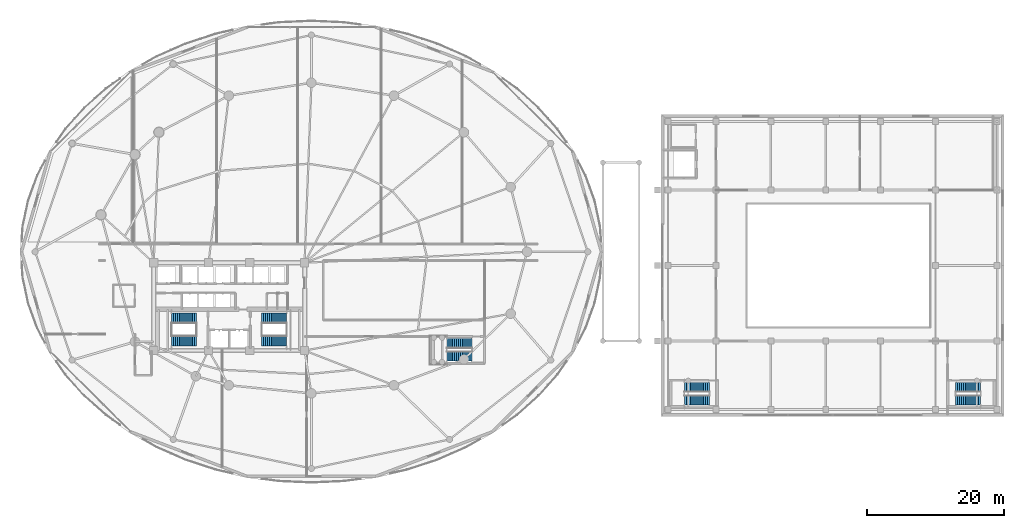
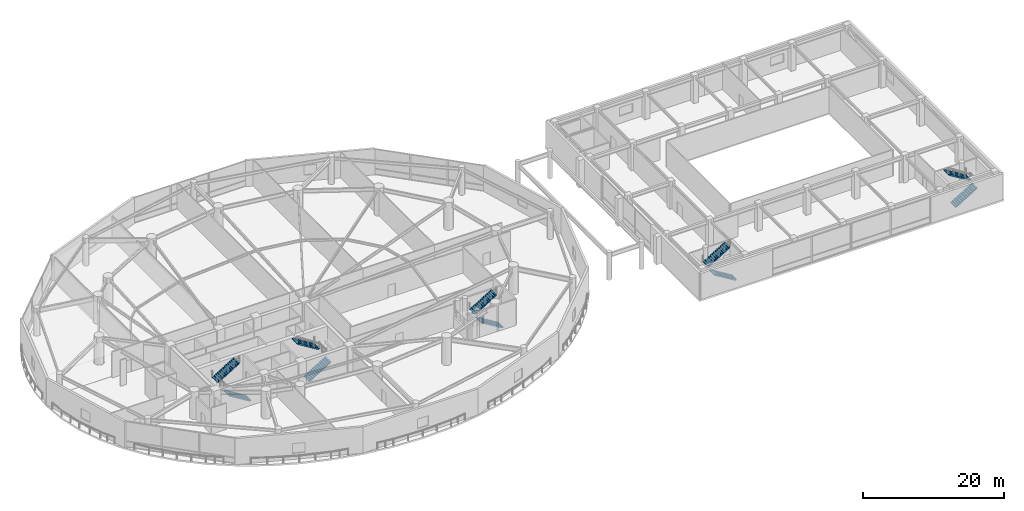
# One storey, part 32 of 40: 10 stair flights, 5 elements without a shape of their own.
"""IFC4 building model written with IfcOpenShell, lengths in metres."""

from ifc_helpers import new_model, si_unit, direction, frame, origin, place, context, subcontext, project, spatial, polyline, outline, extrude, material, layer, layer_set, type_object, element, aggregate, save


model = new_model("IFC4")

# Units and contexts
model_context = context("Model", 3, precision=1e-05, world=origin(), true_north=direction((0.0, 1.0)))
body_context = subcontext(model_context, "Body", "Model", "MODEL_VIEW")
ifc_project = project(units=[si_unit("LENGTHUNIT", "METRE"), si_unit("AREAUNIT", "SQUARE_METRE"), si_unit("VOLUMEUNIT", "CUBIC_METRE"), si_unit("PLANEANGLEUNIT", "RADIAN"), si_unit("MASSUNIT", "GRAM", prefix="KILO")], contexts=[model_context])

# Site, building, storey
site_placement = place(None, origin())
site = spatial("IfcSite", under=ifc_project, at=site_placement, CompositionType="ELEMENT")
building_placement = place(site_placement, origin())
building = spatial("IfcBuilding", under=site, at=building_placement, Name="Kazevale Care Tower and Concert Hall", CompositionType="ELEMENT")
storey_placement = place(building_placement, frame((0.0, 0.0, 4.800048828125)))
storey = spatial("IfcBuildingStorey", under=building, at=storey_placement, Name="L01", CompositionType="ELEMENT", Elevation=4.800048828125)

# Stair, stair flights
ifc_material = material(Name="Concrete C40", Category="concrete")
stair_type_1 = type_object("IfcStairType", Name="Exit Stair Assembly ST1-P", PredefinedType="HALF_TURN_STAIR", material=ifc_material)
stair_1_placement = place(storey_placement, origin())
stair_1 = element("IfcStair", 1, at=stair_1_placement, inside=storey, type_object=stair_type_1, Name="stair:L01:ST1", PredefinedType="HALF_TURN_STAIR")
ifc_layer_1 = layer(ifc_material, 0.159912109375)
ifc_layer_set_1 = layer_set([ifc_layer_1], Name="Concrete C40")
stair_flight_type_1 = type_object("IfcStairFlightType", Name="Exit Stair Flight ST1-P", PredefinedType="STRAIGHT", material=ifc_layer_set_1)
stair_flight_1_placement = place(storey_placement, frame((28.25, 25.0, 0.0), z_axis=(0.0, 0.0, 1.0), x_axis=(-1.0, 0.0, 0.0)))
stair_flight_1 = element("IfcStairFlight", 2, at=stair_flight_1_placement, type_object=stair_flight_type_1, Name="ST1-P flight 1", NumberOfRisers=14, NumberOfTreads=13, PredefinedType="STRAIGHT", RiserHeight=0.171429, TreadLength=0.28, context=body_context, shape_type="SweptSolid", body=[
    extrude(outline(polyline([(0.0, 0.0), (0.0, 0.17138671875), (0.280029296875, 0.17138671875), (0.280029296875, 0.3427734375), (0.56005859375, 0.3427734375), (0.56005859375, 0.514404296875), (0.840087890625, 0.514404296875), (0.840087890625, 0.685791015625), (1.1201171875, 0.685791015625), (1.1201171875, 0.857177734375), (1.39990234375, 0.857177734375), (1.39990234375, 1.028564453125), (1.679931640625, 1.028564453125), (1.679931640625, 1.199951171875), (1.9599609375, 1.199951171875), (1.9599609375, 1.371337890625), (2.239990234375, 1.371337890625), (2.239990234375, 1.54296875), (2.52001953125, 1.54296875), (2.52001953125, 1.71435546875), (2.800048828125, 1.71435546875), (2.800048828125, 1.8857421875), (3.080078125, 1.8857421875), (3.080078125, 2.05712890625), (3.360107421875, 2.05712890625), (3.360107421875, 2.228515625), (3.639892578125, 2.228515625), (3.639892578125, 2.39990234375), (3.639892578125, 2.041015625), (0.30615234375, 0.0), (0.0, 0.0)])), frame((0.0, 0.75, 0.0), z_axis=(0.0, -1.0, 0.0), x_axis=(1.0, 0.0, 0.0)), (0.0, 0.0, 1.0), 1.5),
])
stair_flight_2_placement = place(storey_placement, frame((24.610107421875, 28.300048828125, 2.39990234375), z_axis=(0.0, 0.0, 1.0), x_axis=(1.0, 0.0, 0.0)))
stair_flight_2 = element("IfcStairFlight", 3, at=stair_flight_2_placement, type_object=stair_flight_type_1, Name="ST1-P flight 2", NumberOfRisers=14, NumberOfTreads=13, PredefinedType="STRAIGHT", RiserHeight=0.171429, TreadLength=0.28, context=body_context, shape_type="SweptSolid", body=[
    extrude(outline(polyline([(0.0, 0.0), (0.0, 0.17138671875), (0.280029296875, 0.17138671875), (0.280029296875, 0.3427734375), (0.56005859375, 0.3427734375), (0.56005859375, 0.514404296875), (0.840087890625, 0.514404296875), (0.840087890625, 0.685791015625), (1.1201171875, 0.685791015625), (1.1201171875, 0.857177734375), (1.39990234375, 0.857177734375), (1.39990234375, 1.028564453125), (1.679931640625, 1.028564453125), (1.679931640625, 1.199951171875), (1.9599609375, 1.199951171875), (1.9599609375, 1.371337890625), (2.239990234375, 1.371337890625), (2.239990234375, 1.54296875), (2.52001953125, 1.54296875), (2.52001953125, 1.71435546875), (2.800048828125, 1.71435546875), (2.800048828125, 1.8857421875), (3.080078125, 1.8857421875), (3.080078125, 2.05712890625), (3.360107421875, 2.05712890625), (3.360107421875, 2.228515625), (3.639892578125, 2.228515625), (3.639892578125, 2.39990234375), (3.639892578125, 2.041015625), (0.30615234375, 0.0), (0.0, 0.0)])), frame((0.0, 0.75, 0.0), z_axis=(0.0, -1.0, 0.0), x_axis=(1.0, 0.0, 0.0)), (0.0, 0.0, 1.0), 1.5),
])
aggregate(stair_1, [stair_flight_1, stair_flight_2])

stair_2_placement = place(storey_placement, origin())
stair_2 = element("IfcStair", 4, at=stair_2_placement, inside=storey, type_object=stair_type_1, Name="stair:L01:ST2", PredefinedType="HALF_TURN_STAIR")
stair_flight_3_placement = place(storey_placement, frame((37.75, 25.0, 0.0), z_axis=(0.0, 0.0, 1.0), x_axis=(1.0, 0.0, 0.0)))
stair_flight_3 = element("IfcStairFlight", 5, at=stair_flight_3_placement, type_object=stair_flight_type_1, Name="ST1-P flight 1", NumberOfRisers=14, NumberOfTreads=13, PredefinedType="STRAIGHT", RiserHeight=0.171429, TreadLength=0.28, context=body_context, shape_type="SweptSolid", body=[
    extrude(outline(polyline([(0.0, 0.0), (0.0, 0.17138671875), (0.280029296875, 0.17138671875), (0.280029296875, 0.3427734375), (0.56005859375, 0.3427734375), (0.56005859375, 0.514404296875), (0.840087890625, 0.514404296875), (0.840087890625, 0.685791015625), (1.1201171875, 0.685791015625), (1.1201171875, 0.857177734375), (1.39990234375, 0.857177734375), (1.39990234375, 1.028564453125), (1.679931640625, 1.028564453125), (1.679931640625, 1.199951171875), (1.9599609375, 1.199951171875), (1.9599609375, 1.371337890625), (2.239990234375, 1.371337890625), (2.239990234375, 1.54296875), (2.52001953125, 1.54296875), (2.52001953125, 1.71435546875), (2.800048828125, 1.71435546875), (2.800048828125, 1.8857421875), (3.080078125, 1.8857421875), (3.080078125, 2.05712890625), (3.360107421875, 2.05712890625), (3.360107421875, 2.228515625), (3.639892578125, 2.228515625), (3.639892578125, 2.39990234375), (3.639892578125, 2.041015625), (0.30615234375, 0.0), (0.0, 0.0)])), frame((0.0, 0.75, 0.0), z_axis=(0.0, -1.0, 0.0), x_axis=(1.0, 0.0, 0.0)), (0.0, 0.0, 1.0), 1.5),
])
stair_flight_4_placement = place(storey_placement, frame((41.389892578125, 28.300048828125, 2.39990234375), z_axis=(0.0, 0.0, 1.0), x_axis=(-1.0, 0.0, 0.0)))
stair_flight_4 = element("IfcStairFlight", 6, at=stair_flight_4_placement, type_object=stair_flight_type_1, Name="ST1-P flight 2", NumberOfRisers=14, NumberOfTreads=13, PredefinedType="STRAIGHT", RiserHeight=0.171429, TreadLength=0.28, context=body_context, shape_type="SweptSolid", body=[
    extrude(outline(polyline([(0.0, 0.0), (0.0, 0.17138671875), (0.280029296875, 0.17138671875), (0.280029296875, 0.3427734375), (0.56005859375, 0.3427734375), (0.56005859375, 0.514404296875), (0.840087890625, 0.514404296875), (0.840087890625, 0.685791015625), (1.1201171875, 0.685791015625), (1.1201171875, 0.857177734375), (1.39990234375, 0.857177734375), (1.39990234375, 1.028564453125), (1.679931640625, 1.028564453125), (1.679931640625, 1.199951171875), (1.9599609375, 1.199951171875), (1.9599609375, 1.371337890625), (2.239990234375, 1.371337890625), (2.239990234375, 1.54296875), (2.52001953125, 1.54296875), (2.52001953125, 1.71435546875), (2.800048828125, 1.71435546875), (2.800048828125, 1.8857421875), (3.080078125, 1.8857421875), (3.080078125, 2.05712890625), (3.360107421875, 2.05712890625), (3.360107421875, 2.228515625), (3.639892578125, 2.228515625), (3.639892578125, 2.39990234375), (3.639892578125, 2.041015625), (0.30615234375, 0.0), (0.0, 0.0)])), frame((0.0, 0.75, 0.0), z_axis=(0.0, -1.0, 0.0), x_axis=(1.0, 0.0, 0.0)), (0.0, 0.0, 1.0), 1.5),
])
aggregate(stair_2, [stair_flight_3, stair_flight_4])

stair_type_2 = type_object("IfcStairType", Name="Exit Stair Assembly ST3-P", PredefinedType="HALF_TURN_STAIR", material=ifc_material)
stair_3_placement = place(storey_placement, origin())
stair_3 = element("IfcStair", 7, at=stair_3_placement, inside=storey, type_object=stair_type_2, Name="stair:L01:ST3", PredefinedType="HALF_TURN_STAIR")
ifc_layer_2 = layer(ifc_material, 0.159912109375)
ifc_layer_set_2 = layer_set([ifc_layer_2], Name="Concrete C40")
stair_flight_type_2 = type_object("IfcStairFlightType", Name="Exit Stair Flight ST3-P", PredefinedType="STRAIGHT", material=ifc_layer_set_2)
stair_flight_5_placement = place(storey_placement, frame((68.39990234375, 22.764892578125, 0.0), z_axis=(0.0, 0.0, 1.0), x_axis=(-1.0, 0.0, 0.0)))
stair_flight_5 = element("IfcStairFlight", 8, at=stair_flight_5_placement, type_object=stair_flight_type_2, Name="ST3-P flight 1", NumberOfRisers=14, NumberOfTreads=13, PredefinedType="STRAIGHT", RiserHeight=0.171429, TreadLength=0.28, context=body_context, shape_type="SweptSolid", body=[
    extrude(outline(polyline([(0.0, 0.0), (0.0, 0.17138671875), (0.280029296875, 0.17138671875), (0.280029296875, 0.3427734375), (0.56005859375, 0.3427734375), (0.56005859375, 0.514404296875), (0.840087890625, 0.514404296875), (0.840087890625, 0.685791015625), (1.1201171875, 0.685791015625), (1.1201171875, 0.857177734375), (1.39990234375, 0.857177734375), (1.39990234375, 1.028564453125), (1.679931640625, 1.028564453125), (1.679931640625, 1.199951171875), (1.9599609375, 1.199951171875), (1.9599609375, 1.371337890625), (2.239990234375, 1.371337890625), (2.239990234375, 1.54296875), (2.52001953125, 1.54296875), (2.52001953125, 1.71435546875), (2.800048828125, 1.71435546875), (2.800048828125, 1.8857421875), (3.080078125, 1.8857421875), (3.080078125, 2.05712890625), (3.360107421875, 2.05712890625), (3.360107421875, 2.228515625), (3.639892578125, 2.228515625), (3.639892578125, 2.39990234375), (3.639892578125, 2.041015625), (0.30615234375, 0.0), (0.0, 0.0)])), frame((0.0, 0.71484375, 0.0), z_axis=(0.0, -1.0, 0.0), x_axis=(1.0, 0.0, 0.0)), (0.0, 0.0, 1.0), 1.429931640625),
])
stair_flight_6_placement = place(storey_placement, frame((64.760009765625, 24.635009765625, 2.39990234375), z_axis=(0.0, 0.0, 1.0), x_axis=(1.0, 0.0, 0.0)))
stair_flight_6 = element("IfcStairFlight", 9, at=stair_flight_6_placement, type_object=stair_flight_type_2, Name="ST3-P flight 2", NumberOfRisers=14, NumberOfTreads=13, PredefinedType="STRAIGHT", RiserHeight=0.171429, TreadLength=0.28, context=body_context, shape_type="SweptSolid", body=[
    extrude(outline(polyline([(0.0, 0.0), (0.0, 0.17138671875), (0.280029296875, 0.17138671875), (0.280029296875, 0.3427734375), (0.56005859375, 0.3427734375), (0.56005859375, 0.514404296875), (0.840087890625, 0.514404296875), (0.840087890625, 0.685791015625), (1.1201171875, 0.685791015625), (1.1201171875, 0.857177734375), (1.39990234375, 0.857177734375), (1.39990234375, 1.028564453125), (1.679931640625, 1.028564453125), (1.679931640625, 1.199951171875), (1.9599609375, 1.199951171875), (1.9599609375, 1.371337890625), (2.239990234375, 1.371337890625), (2.239990234375, 1.54296875), (2.52001953125, 1.54296875), (2.52001953125, 1.71435546875), (2.800048828125, 1.71435546875), (2.800048828125, 1.8857421875), (3.080078125, 1.8857421875), (3.080078125, 2.05712890625), (3.360107421875, 2.05712890625), (3.360107421875, 2.228515625), (3.639892578125, 2.228515625), (3.639892578125, 2.39990234375), (3.639892578125, 2.041015625), (0.30615234375, 0.0), (0.0, 0.0)])), frame((0.0, 0.71484375, 0.0), z_axis=(0.0, -1.0, 0.0), x_axis=(1.0, 0.0, 0.0)), (0.0, 0.0, 1.0), 1.429931640625),
])
aggregate(stair_3, [stair_flight_5, stair_flight_6])

stair_type_3 = type_object("IfcStairType", Name="Exit Stair Assembly ST4-H", PredefinedType="HALF_TURN_STAIR", material=ifc_material)
stair_4_placement = place(storey_placement, origin())
stair_4 = element("IfcStair", 10, at=stair_4_placement, inside=storey, type_object=stair_type_3, Name="stair:L01:ST4", PredefinedType="HALF_TURN_STAIR")
ifc_layer_3 = layer(ifc_material, 0.159912109375)
ifc_layer_set_3 = layer_set([ifc_layer_3], Name="Concrete C40")
stair_flight_type_3 = type_object("IfcStairFlightType", Name="Exit Stair Flight ST4-H", PredefinedType="STRAIGHT", material=ifc_layer_set_3)
stair_flight_7_placement = place(storey_placement, frame((103.050048828125, 16.35498046875, 0.0), z_axis=(0.0, 0.0, 1.0), x_axis=(-1.0, 0.0, 0.0)))
stair_flight_7 = element("IfcStairFlight", 11, at=stair_flight_7_placement, type_object=stair_flight_type_3, Name="ST4-H flight 1", NumberOfRisers=14, NumberOfTreads=13, PredefinedType="STRAIGHT", RiserHeight=0.171429, TreadLength=0.28, context=body_context, shape_type="SweptSolid", body=[
    extrude(outline(polyline([(0.0, 0.0), (0.0, 0.17138671875), (0.280029296875, 0.17138671875), (0.280029296875, 0.3427734375), (0.56005859375, 0.3427734375), (0.56005859375, 0.514404296875), (0.840087890625, 0.514404296875), (0.840087890625, 0.685791015625), (1.1201171875, 0.685791015625), (1.1201171875, 0.857177734375), (1.39990234375, 0.857177734375), (1.39990234375, 1.028564453125), (1.679931640625, 1.028564453125), (1.679931640625, 1.199951171875), (1.9599609375, 1.199951171875), (1.9599609375, 1.371337890625), (2.239990234375, 1.371337890625), (2.239990234375, 1.54296875), (2.52001953125, 1.54296875), (2.52001953125, 1.71435546875), (2.800048828125, 1.71435546875), (2.800048828125, 1.8857421875), (3.080078125, 1.8857421875), (3.080078125, 2.05712890625), (3.360107421875, 2.05712890625), (3.360107421875, 2.228515625), (3.639892578125, 2.228515625), (3.639892578125, 2.39990234375), (3.639892578125, 2.041015625), (0.30615234375, 0.0), (0.0, 0.0)])), frame((0.0, 0.705078125, 0.0), z_axis=(0.0, -1.0, 0.0), x_axis=(1.0, 0.0, 0.0)), (0.0, 0.0, 1.0), 1.409912109375),
])
stair_flight_8_placement = place(storey_placement, frame((99.409912109375, 18.2451171875, 2.39990234375), z_axis=(0.0, 0.0, 1.0), x_axis=(1.0, 0.0, 0.0)))
stair_flight_8 = element("IfcStairFlight", 12, at=stair_flight_8_placement, type_object=stair_flight_type_3, Name="ST4-H flight 2", NumberOfRisers=14, NumberOfTreads=13, PredefinedType="STRAIGHT", RiserHeight=0.171429, TreadLength=0.28, context=body_context, shape_type="SweptSolid", body=[
    extrude(outline(polyline([(0.0, 0.0), (0.0, 0.17138671875), (0.280029296875, 0.17138671875), (0.280029296875, 0.3427734375), (0.56005859375, 0.3427734375), (0.56005859375, 0.514404296875), (0.840087890625, 0.514404296875), (0.840087890625, 0.685791015625), (1.1201171875, 0.685791015625), (1.1201171875, 0.857177734375), (1.39990234375, 0.857177734375), (1.39990234375, 1.028564453125), (1.679931640625, 1.028564453125), (1.679931640625, 1.199951171875), (1.9599609375, 1.199951171875), (1.9599609375, 1.371337890625), (2.239990234375, 1.371337890625), (2.239990234375, 1.54296875), (2.52001953125, 1.54296875), (2.52001953125, 1.71435546875), (2.800048828125, 1.71435546875), (2.800048828125, 1.8857421875), (3.080078125, 1.8857421875), (3.080078125, 2.05712890625), (3.360107421875, 2.05712890625), (3.360107421875, 2.228515625), (3.639892578125, 2.228515625), (3.639892578125, 2.39990234375), (3.639892578125, 2.041015625), (0.30615234375, 0.0), (0.0, 0.0)])), frame((0.0, 0.705078125, 0.0), z_axis=(0.0, -1.0, 0.0), x_axis=(1.0, 0.0, 0.0)), (0.0, 0.0, 1.0), 1.409912109375),
])
aggregate(stair_4, [stair_flight_7, stair_flight_8])

stair_5_placement = place(storey_placement, origin())
stair_5 = element("IfcStair", 13, at=stair_5_placement, inside=storey, type_object=stair_type_3, Name="stair:L01:ST5", PredefinedType="HALF_TURN_STAIR")
stair_flight_9_placement = place(storey_placement, frame((138.949951171875, 16.35498046875, 0.0), z_axis=(0.0, 0.0, 1.0), x_axis=(1.0, 0.0, 0.0)))
stair_flight_9 = element("IfcStairFlight", 14, at=stair_flight_9_placement, type_object=stair_flight_type_3, Name="ST4-H flight 1", NumberOfRisers=14, NumberOfTreads=13, PredefinedType="STRAIGHT", RiserHeight=0.171429, TreadLength=0.28, context=body_context, shape_type="SweptSolid", body=[
    extrude(outline(polyline([(0.0, 0.0), (0.0, 0.17138671875), (0.280029296875, 0.17138671875), (0.280029296875, 0.3427734375), (0.56005859375, 0.3427734375), (0.56005859375, 0.514404296875), (0.840087890625, 0.514404296875), (0.840087890625, 0.685791015625), (1.1201171875, 0.685791015625), (1.1201171875, 0.857177734375), (1.39990234375, 0.857177734375), (1.39990234375, 1.028564453125), (1.679931640625, 1.028564453125), (1.679931640625, 1.199951171875), (1.9599609375, 1.199951171875), (1.9599609375, 1.371337890625), (2.239990234375, 1.371337890625), (2.239990234375, 1.54296875), (2.52001953125, 1.54296875), (2.52001953125, 1.71435546875), (2.800048828125, 1.71435546875), (2.800048828125, 1.8857421875), (3.080078125, 1.8857421875), (3.080078125, 2.05712890625), (3.360107421875, 2.05712890625), (3.360107421875, 2.228515625), (3.639892578125, 2.228515625), (3.639892578125, 2.39990234375), (3.639892578125, 2.041015625), (0.30615234375, 0.0), (0.0, 0.0)])), frame((0.0, 0.705078125, 0.0), z_axis=(0.0, -1.0, 0.0), x_axis=(1.0, 0.0, 0.0)), (0.0, 0.0, 1.0), 1.409912109375),
])
stair_flight_10_placement = place(storey_placement, frame((142.590087890625, 18.2451171875, 2.39990234375), z_axis=(0.0, 0.0, 1.0), x_axis=(-1.0, 0.0, 0.0)))
stair_flight_10 = element("IfcStairFlight", 15, at=stair_flight_10_placement, type_object=stair_flight_type_3, Name="ST4-H flight 2", NumberOfRisers=14, NumberOfTreads=13, PredefinedType="STRAIGHT", RiserHeight=0.171429, TreadLength=0.28, context=body_context, shape_type="SweptSolid", body=[
    extrude(outline(polyline([(0.0, 0.0), (0.0, 0.17138671875), (0.280029296875, 0.17138671875), (0.280029296875, 0.3427734375), (0.56005859375, 0.3427734375), (0.56005859375, 0.514404296875), (0.840087890625, 0.514404296875), (0.840087890625, 0.685791015625), (1.1201171875, 0.685791015625), (1.1201171875, 0.857177734375), (1.39990234375, 0.857177734375), (1.39990234375, 1.028564453125), (1.679931640625, 1.028564453125), (1.679931640625, 1.199951171875), (1.9599609375, 1.199951171875), (1.9599609375, 1.371337890625), (2.239990234375, 1.371337890625), (2.239990234375, 1.54296875), (2.52001953125, 1.54296875), (2.52001953125, 1.71435546875), (2.800048828125, 1.71435546875), (2.800048828125, 1.8857421875), (3.080078125, 1.8857421875), (3.080078125, 2.05712890625), (3.360107421875, 2.05712890625), (3.360107421875, 2.228515625), (3.639892578125, 2.228515625), (3.639892578125, 2.39990234375), (3.639892578125, 2.041015625), (0.30615234375, 0.0), (0.0, 0.0)])), frame((0.0, 0.705078125, 0.0), z_axis=(0.0, -1.0, 0.0), x_axis=(1.0, 0.0, 0.0)), (0.0, 0.0, 1.0), 1.409912109375),
])
aggregate(stair_5, [stair_flight_9, stair_flight_10])

save(model, "model.ifc")
